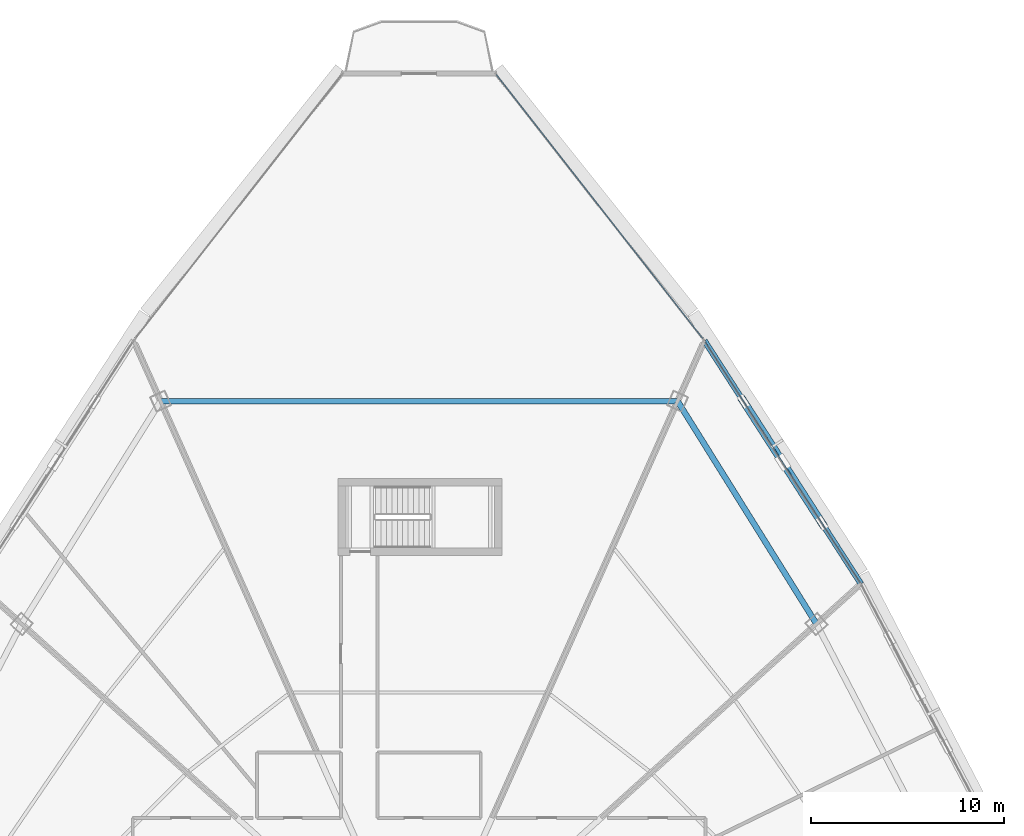
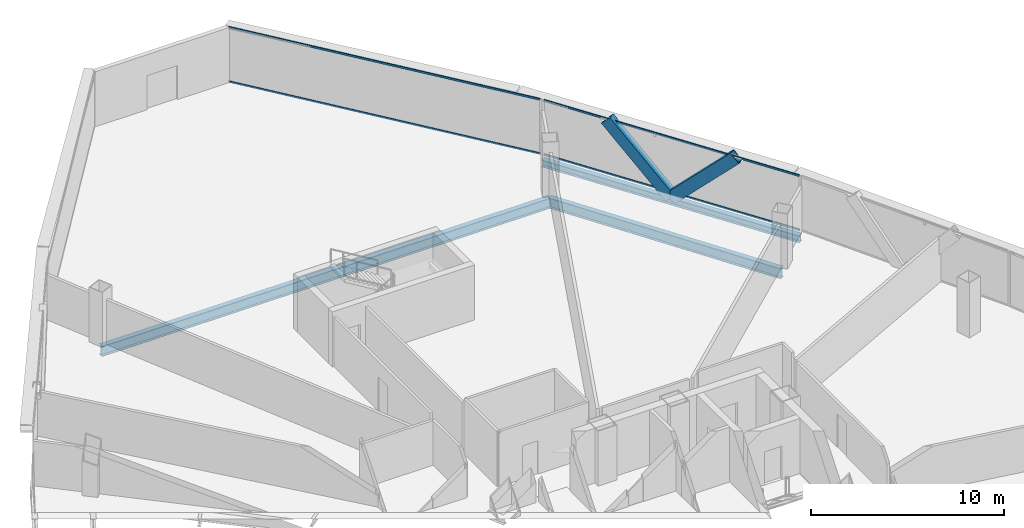
# One storey, part 19 of 34: 6 members, 3 beams, 2 elements without a shape of their own.
"""IFC4 building model written with IfcOpenShell, lengths in metres."""

from ifc_helpers import new_model, si_unit, direction, frame, origin, origin_2d, place, context, subcontext, project, spatial, hollow_rectangle, i_section, extrude, source, transform, mapped, material, layer, layer_set, material_profile, profile_set, type_object, element, aggregate, save


model = new_model("IFC4")

# Units and contexts
model_context = context("Model", 3, precision=1e-05, world=origin(), true_north=direction((0.0, 1.0)))
body_context = subcontext(model_context, "Body", "Model", "MODEL_VIEW")
ifc_project = project(units=[si_unit("LENGTHUNIT", "METRE"), si_unit("AREAUNIT", "SQUARE_METRE"), si_unit("VOLUMEUNIT", "CUBIC_METRE"), si_unit("PLANEANGLEUNIT", "RADIAN"), si_unit("MASSUNIT", "GRAM", prefix="KILO"), si_unit("THERMODYNAMICTEMPERATUREUNIT", "KELVIN"), si_unit("POWERUNIT", "WATT")], contexts=[model_context])

# Site, building, storey
site_placement = place(None, origin())
site = spatial("IfcSite", under=ifc_project, at=site_placement, CompositionType="ELEMENT")
building_placement = place(site_placement, origin())
building = spatial("IfcBuilding", under=site, at=building_placement, Name="Yunzhuo Pagoda Commons", CompositionType="ELEMENT")
storey_placement = place(building_placement, frame((0.0, 0.0, 233.340087890625)))
storey = spatial("IfcBuildingStorey", under=building, at=storey_placement, Name="L58", CompositionType="ELEMENT", Elevation=233.340087890625)

# Beams
ifc_material_1 = material(Name="Structural steel Q355B", Category="steel")
ifc_material_profile_1 = material_profile(ifc_material_1, i_section(OverallWidth=0.300048828125, OverallDepth=0.43994140625, WebThickness=0.010986328125, FlangeThickness=0.01806640625, at=origin_2d()), Name="Structural steel Q355B")
ifc_profile_set_1 = profile_set([ifc_material_profile_1], Name="Structural steel Q355B")
beam_type_1 = type_object("IfcBeamType", Name="B-SP2 Beam HM 440x300x11x18", PredefinedType="BEAM", material=ifc_profile_set_1)
shared_shape_1 = source(origin(), body_context, "Body", "SweptSolid", [
    extrude(i_section(OverallWidth=0.300048828125, OverallDepth=0.43994140625, WebThickness=0.010986328125, FlangeThickness=0.01806640625, at=origin_2d()), origin(), (0.0, 0.0, 1.0), 14.996826171875),
])
beam_1_placement = place(storey_placement, frame((70.92138671875, 54.33837890625, -0.47998046875), z_axis=(-0.541322723021, 0.840814908015, 0.0), x_axis=(-0.840814908015, -0.541322723021, 0.0)))
element("IfcBeam", 1, at=beam_1_placement, inside=storey, type_object=beam_type_1, Name="L58 facade edge spandrel beam F2.3", PredefinedType="BEAM", context=body_context, shape_type="MappedRepresentation", body=[
    mapped(shared_shape_1, transform((0.0, 0.0, 0.0), scale=1.0)),
])
ifc_material_profile_2 = material_profile(ifc_material_1, i_section(OverallWidth=0.300048828125, OverallDepth=0.64990234375, WebThickness=0.012939453125, FlangeThickness=0.02197265625, at=origin_2d()), Name="Structural steel Q355B")
ifc_profile_set_2 = profile_set([ifc_material_profile_2], Name="Structural steel Q355B")
beam_type_2 = type_object("IfcBeamType", Name="B-RG2 Beam HN 650x300x13x22", PredefinedType="BEAM", material=ifc_profile_set_2)
shared_shape_2 = source(origin(), body_context, "Body", "SweptSolid", [
    extrude(i_section(OverallWidth=0.300048828125, OverallDepth=0.64990234375, WebThickness=0.012939453125, FlangeThickness=0.02197265625, at=origin_2d()), origin(), (0.0, 0.0, 1.0), 13.615478515625),
])
beam_2_placement = place(storey_placement, frame((68.61181640625, 52.259033203125, -0.585205078125), z_axis=(-0.529178300485, 0.848510651846, 0.0), x_axis=(-0.848510651846, -0.529178300485, 0.0)))
element("IfcBeam", 2, at=beam_2_placement, inside=storey, type_object=beam_type_2, Name="L58 column-ring beam 7", PredefinedType="BEAM", context=body_context, shape_type="MappedRepresentation", body=[
    mapped(shared_shape_2, transform((0.0, 0.0, 0.0), scale=1.0)),
])
shared_shape_3 = source(origin(), body_context, "Body", "SweptSolid", [
    extrude(i_section(OverallWidth=0.300048828125, OverallDepth=0.64990234375, WebThickness=0.012939453125, FlangeThickness=0.02197265625, at=origin_2d()), origin(), (0.0, 0.0, 1.0), 26.8134765625),
])
beam_3_placement = place(storey_placement, frame((61.40673828125, 63.81201171875, -0.585205078125), z_axis=(-1.0, 0.0, 0.0), x_axis=(0.0, -1.0, 0.0)))
element("IfcBeam", 3, at=beam_3_placement, inside=storey, type_object=beam_type_2, Name="L58 column-ring beam 8", PredefinedType="BEAM", context=body_context, shape_type="MappedRepresentation", body=[
    mapped(shared_shape_3, transform((0.0, 0.0, 0.0), scale=1.0)),
])

# Members
ifc_material_profile_3 = material_profile(ifc_material_1, hollow_rectangle(XDim=0.39990234375, YDim=0.719970703125, WallThickness=0.02392578125, at=origin_2d()), Name="Structural steel Q355B")
ifc_profile_set_3 = profile_set([ifc_material_profile_3], Name="Structural steel Q355B")
member_type_1 = type_object("IfcMemberType", Name="M-DL2 Brace BOX 720x400x24", PredefinedType="BRACE", material=ifc_profile_set_3)
shared_shape_4 = source(origin(), body_context, "Body", "SweptSolid", [
    extrude(hollow_rectangle(XDim=0.39990234375, YDim=0.719970703125, WallThickness=0.02392578125, at=origin_2d()), origin(), (0.0, 0.0, 1.0), 5.288818359375),
])
member_1_placement = place(storey_placement, frame((66.8623046875, 60.6435546875, -0.260009765625), z_axis=(0.383748711328, -0.596096127677, 0.705270397169), x_axis=(0.840829218209, 0.541300494925, 0.0)))
element("IfcMember", 4, at=member_1_placement, inside=storey, type_object=member_type_1, Name="L58 facade diamond brace F2.3L", PredefinedType="BRACE", context=body_context, shape_type="MappedRepresentation", body=[
    mapped(shared_shape_4, transform((0.0, 0.0, 0.0), scale=1.0)),
])
shared_shape_5 = source(origin(), body_context, "Body", "SweptSolid", [
    extrude(hollow_rectangle(XDim=0.39990234375, YDim=0.719970703125, WallThickness=0.02392578125, at=origin_2d()), origin(), (0.0, 0.0, 1.0), 5.288330078125),
])
member_2_placement = place(storey_placement, frame((66.8623046875, 60.6435546875, -0.260009765625), z_axis=(-0.383769830875, 0.596036603684, 0.705309211609), x_axis=(-0.840791053775, -0.541359773064, 0.0)))
element("IfcMember", 5, at=member_2_placement, inside=storey, type_object=member_type_1, Name="L58 facade diamond brace F2.3R", PredefinedType="BRACE", context=body_context, shape_type="MappedRepresentation", body=[
    mapped(shared_shape_5, transform((0.0, 0.0, 0.0), scale=1.0)),
])

# Curtain wall, members
ifc_material_2 = material(Name="Anodized aluminium 6063-T6", Category="aluminium")
ifc_layer = layer(ifc_material_2, 0.139892578125)
ifc_layer_set = layer_set([ifc_layer], Name="Anodized aluminium 6063-T6")
curtain_wall_type = type_object("IfcCurtainWallType", Name="CW-HI High-Zone Ribbon Curtain Wall", PredefinedType="NOTDEFINED", material=ifc_layer_set)
curtain_wall_1_placement = place(storey_placement, origin())
curtain_wall_1 = element("IfcCurtainWall", 6, at=curtain_wall_1_placement, inside=storey, type_object=curtain_wall_type, Name="L58 curtain wall CW-L58-F2B4", PredefinedType="NOTDEFINED")
ifc_material_profile_4 = material_profile(ifc_material_2, hollow_rectangle(XDim=0.054931640625, YDim=0.1201171875, WallThickness=0.00341796875, at=origin_2d()), Name="Anodized aluminium 6063-T6")
ifc_profile_set_4 = profile_set([ifc_material_profile_4], Name="Anodized aluminium 6063-T6")
member_type_2 = type_object("IfcMemberType", Name="CW-HI-T Transom RHS 120x55x3.5", PredefinedType="USERDEFINED", material=ifc_profile_set_4)
shared_shape_6 = source(origin(), body_context, "Body", "SweptSolid", [
    extrude(hollow_rectangle(XDim=0.054931640625, YDim=0.1201171875, WallThickness=0.00341796875, at=origin_2d()), origin(), (0.0, 0.0, 1.0), 14.877197265625),
])
member_3_placement = place(storey_placement, frame((70.888916015625, 54.388916015625, 0.02734375), z_axis=(-0.541333076232, 0.840808242453, 0.0), x_axis=(-0.840808242453, -0.541333076232, 0.0)))
member_3 = element("IfcMember", 7, at=member_3_placement, type_object=member_type_2, Name="CW transom 1.1", ObjectType="TRANSOM", PredefinedType="USERDEFINED", context=body_context, shape_type="MappedRepresentation", body=[
    mapped(shared_shape_6, transform((0.0, 0.0, 0.0), scale=1.0)),
])
member_4_placement = place(storey_placement, frame((70.888916015625, 54.388916015625, 3.4423828125), z_axis=(-0.541333076232, 0.840808242453, 0.0), x_axis=(-0.840808242453, -0.541333076232, 0.0)))
member_4 = element("IfcMember", 8, at=member_4_placement, type_object=member_type_2, Name="CW transom 1.2", ObjectType="TRANSOM", PredefinedType="USERDEFINED", context=body_context, shape_type="MappedRepresentation", body=[
    mapped(shared_shape_6, transform((0.0, 0.0, 0.0), scale=1.0)),
])
aggregate(curtain_wall_1, [member_3, member_4])

curtain_wall_2_placement = place(storey_placement, origin())
curtain_wall_2 = element("IfcCurtainWall", 9, at=curtain_wall_2_placement, inside=storey, type_object=curtain_wall_type, Name="L58 curtain wall CW-L58-F2B5", PredefinedType="NOTDEFINED")
shared_shape_7 = source(origin(), body_context, "Body", "SweptSolid", [
    extrude(hollow_rectangle(XDim=0.054931640625, YDim=0.1201171875, WallThickness=0.00341796875, at=origin_2d()), origin(), (0.0, 0.0, 1.0), 17.393798828125),
])
member_5_placement = place(storey_placement, frame((62.7197265625, 67.054443359375, 0.02734375), z_axis=(-0.616126582862, 0.787647150627, 0.0), x_axis=(-0.787647150627, -0.616126582862, 0.0)))
member_5 = element("IfcMember", 10, at=member_5_placement, type_object=member_type_2, Name="CW transom 1.1", ObjectType="TRANSOM", PredefinedType="USERDEFINED", context=body_context, shape_type="MappedRepresentation", body=[
    mapped(shared_shape_7, transform((0.0, 0.0, 0.0), scale=1.0)),
])
member_6_placement = place(storey_placement, frame((62.7197265625, 67.054443359375, 3.4423828125), z_axis=(-0.616126582862, 0.787647150627, 0.0), x_axis=(-0.787647150627, -0.616126582862, 0.0)))
member_6 = element("IfcMember", 11, at=member_6_placement, type_object=member_type_2, Name="CW transom 1.2", ObjectType="TRANSOM", PredefinedType="USERDEFINED", context=body_context, shape_type="MappedRepresentation", body=[
    mapped(shared_shape_7, transform((0.0, 0.0, 0.0), scale=1.0)),
])
aggregate(curtain_wall_2, [member_5, member_6])

save(model, "model.ifc")
